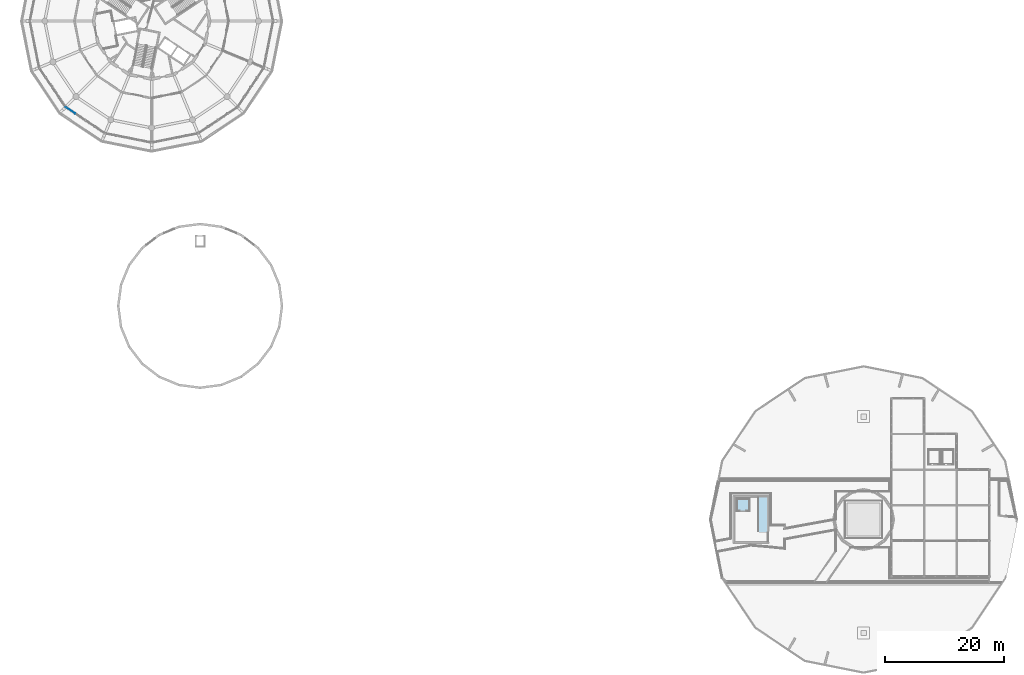
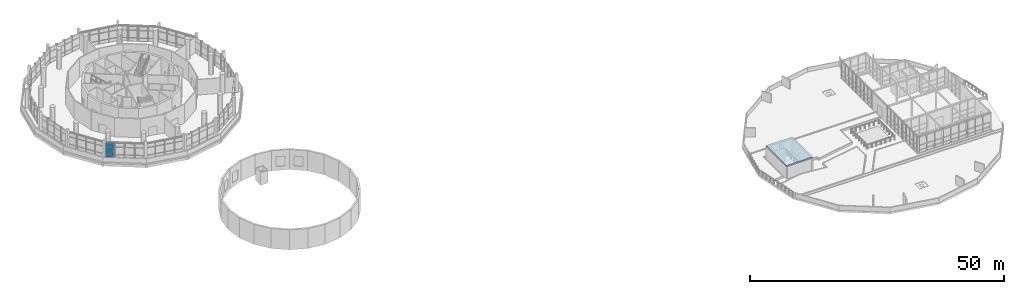
# One storey, part 17 of 40: 3 plates, 1 slab, 1 element without a shape of its own.
"""IFC4 building model written with IfcOpenShell, lengths in metres."""

from ifc_helpers import new_model, si_unit, direction, frame, origin, origin_2d, place, context, subcontext, project, spatial, polyline, rectangle, outline, extrude, material, layer, layer_set, type_object, element, aggregate, save


model = new_model("IFC4")

# Units and contexts
model_context = context("Model", 3, precision=1e-05, world=origin(), true_north=direction((0.0, 1.0)))
body_context = subcontext(model_context, "Body", "Model", "MODEL_VIEW")
ifc_project = project(units=[si_unit("LENGTHUNIT", "METRE"), si_unit("AREAUNIT", "SQUARE_METRE"), si_unit("VOLUMEUNIT", "CUBIC_METRE"), si_unit("PLANEANGLEUNIT", "RADIAN"), si_unit("MASSUNIT", "GRAM", prefix="KILO")], contexts=[model_context])

# Site, building, storey
site_placement = place(None, origin())
site = spatial("IfcSite", under=ifc_project, at=site_placement, CompositionType="ELEMENT")
building_placement = place(site_placement, origin())
building = spatial("IfcBuilding", under=site, at=building_placement, Name="Ceibo Conservatory and Research Tower", CompositionType="ELEMENT")
storey_placement = place(building_placement, frame((0.0, 0.0, 6.0)))
storey = spatial("IfcBuildingStorey", under=building, at=storey_placement, Name="L01", CompositionType="ELEMENT", Elevation=6.0)

# Slab
ifc_material_1 = material(Name="Concrete C35/45", Category="concrete")
ifc_layer_1 = layer(ifc_material_1, 0.300048828125)
ifc_layer_set_1 = layer_set([ifc_layer_1], Name="Concrete C35/45")
slab_type = type_object("IfcSlabType", Name="Head house roof slab 300", PredefinedType="ROOF", material=ifc_layer_set_1)
slab_placement = place(storey_placement, frame((0.0, 0.0, 2.949951171875)))
element("IfcSlab", 1, at=slab_placement, inside=storey, type_object=slab_type, Name="Head house roof slab", PredefinedType="ROOF", context=body_context, shape_type="SweptSolid", body=[
    extrude(outline(polyline([(146.0, 32.0), (152.0, 32.0), (152.0, 40.0), (146.0, 40.0), (146.0, 32.0)])), origin(), (0.0, 0.0, 1.0), 0.300048828125),
])

# Curtain wall, plates
ifc_material_2 = material(Name="Aluminium and glass", Category="aluminium")
curtain_wall_type = type_object("IfcCurtainWallType", Name="Curtain wall CW1", PredefinedType="NOTDEFINED", material=ifc_material_2)
curtain_wall_placement = place(storey_placement, origin())
curtain_wall = element("IfcCurtainWall", 2, at=curtain_wall_placement, inside=storey, type_object=curtain_wall_type, Name="CW-01.11", PredefinedType="NOTDEFINED")
ifc_material_3 = material(Name="Glass", Category="glass")
ifc_layer_2 = layer(ifc_material_3, 0.028076171875)
ifc_layer_set_2 = layer_set([ifc_layer_2], Name="Glass")
plate_type = type_object("IfcPlateType", Name="Insulated glass panel 28", PredefinedType="CURTAIN_PANEL", material=ifc_layer_set_2)
plate_1_placement = place(storey_placement, frame((34.34814453125, 104.9404296875, 0.06005859375), z_axis=(0.0, 0.0, 1.0), x_axis=(0.831469649004, -0.555570178092, 0.0)))
plate_1 = element("IfcPlate", 3, at=plate_1_placement, type_object=plate_type, Name="CW-01.11 panel 1.1", PredefinedType="CURTAIN_PANEL", context=body_context, shape_type="SweptSolid", body=[
    extrude(rectangle(XDim=1.90966796875, YDim=0.028076171875, at=origin_2d()), origin(), (0.0, 0.0, 1.0), 0.81005859375),
])
plate_2_placement = place(storey_placement, frame((34.34814453125, 104.9404296875, 0.93017578125), z_axis=(0.0, 0.0, 1.0), x_axis=(0.831469649004, -0.555570178092, 0.0)))
plate_2 = element("IfcPlate", 4, at=plate_2_placement, type_object=plate_type, Name="CW-01.11 panel 1.2", PredefinedType="CURTAIN_PANEL", context=body_context, shape_type="SweptSolid", body=[
    extrude(rectangle(XDim=1.90966796875, YDim=0.028076171875, at=origin_2d()), origin(), (0.0, 0.0, 1.0), 1.739990234375),
])
plate_3_placement = place(storey_placement, frame((34.34814453125, 104.9404296875, 2.72998046875), z_axis=(0.0, 0.0, 1.0), x_axis=(0.831469649004, -0.555570178092, 0.0)))
plate_3 = element("IfcPlate", 5, at=plate_3_placement, type_object=plate_type, Name="CW-01.11 panel 1.3", PredefinedType="CURTAIN_PANEL", context=body_context, shape_type="SweptSolid", body=[
    extrude(rectangle(XDim=1.90966796875, YDim=0.028076171875, at=origin_2d()), origin(), (0.0, 0.0, 1.0), 0.909912109375),
])
aggregate(curtain_wall, [plate_1, plate_2, plate_3])

save(model, "model.ifc")
